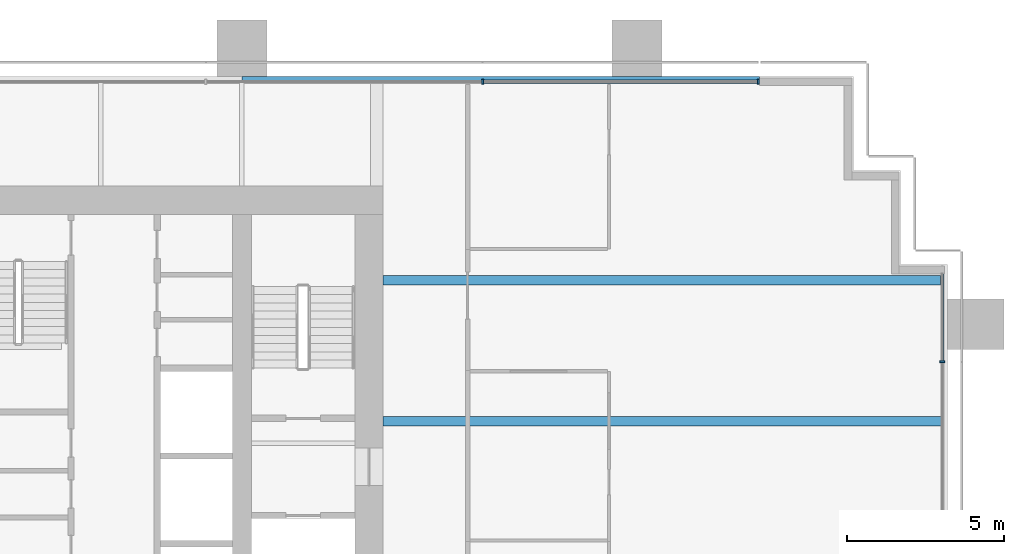
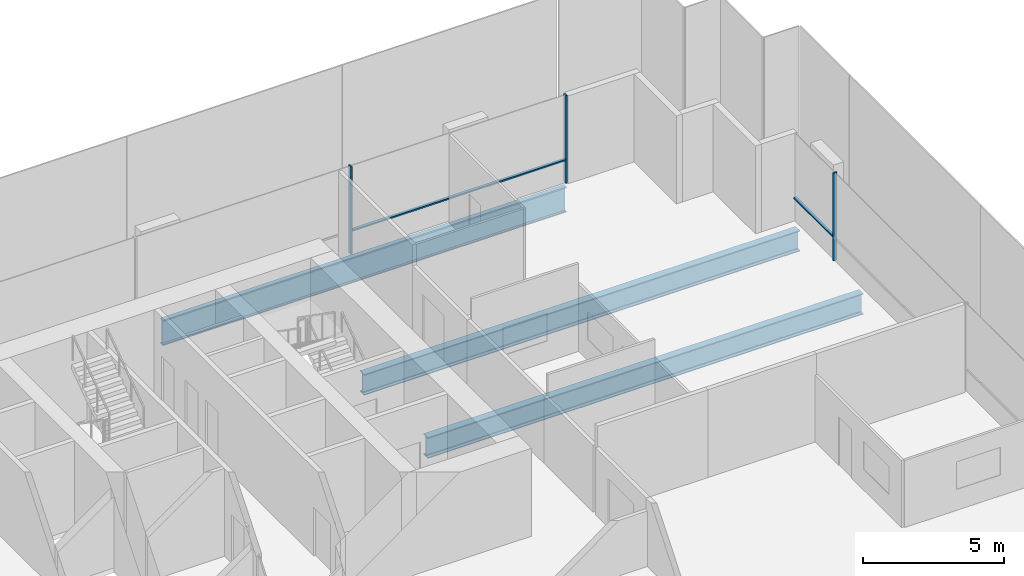
# One storey, part 10 of 19: 5 members, 3 beams, 2 elements without a shape of their own.
"""IFC4 building model written with IfcOpenShell, lengths in metres."""

from ifc_helpers import new_model, si_unit, direction, frame, origin, origin_2d, place, context, subcontext, project, spatial, rectangle, i_section, extrude, material, material_profile, profile_set, type_object, element, aggregate, save


model = new_model("IFC4")

# Units and contexts
model_context = context("Model", 3, precision=1e-05, world=origin(), true_north=direction((0.0, 1.0)))
body_context = subcontext(model_context, "Body", "Model", "MODEL_VIEW")
ifc_project = project(units=[si_unit("LENGTHUNIT", "METRE"), si_unit("AREAUNIT", "SQUARE_METRE"), si_unit("VOLUMEUNIT", "CUBIC_METRE"), si_unit("PLANEANGLEUNIT", "RADIAN"), si_unit("MASSUNIT", "GRAM", prefix="KILO")], contexts=[model_context])

# Site, building, storey
site_placement = place(None, origin())
site = spatial("IfcSite", under=ifc_project, at=site_placement, CompositionType="ELEMENT")
building_placement = place(site_placement, origin())
building = spatial("IfcBuilding", under=site, at=building_placement, Name="Rattan Terrace Tower", CompositionType="ELEMENT")
storey_placement = place(building_placement, frame((0.0, 0.0, 91.699951171875)))
storey = spatial("IfcBuildingStorey", under=building, at=storey_placement, Name="L20", CompositionType="ELEMENT", Elevation=91.699951171875)

# Curtain wall, member
ifc_material_1 = material(Name="Aluminium and glass", Category="aluminium")
curtain_wall_type = type_object("IfcCurtainWallType", Name="Facade Unitised Curtain Wall", PredefinedType="NOTDEFINED", material=ifc_material_1)
curtain_wall_1_placement = place(storey_placement, origin())
curtain_wall_1 = element("IfcCurtainWall", 1, at=curtain_wall_1_placement, inside=storey, type_object=curtain_wall_type, Name="Curtain wall L20-1", PredefinedType="NOTDEFINED")
ifc_material_2 = material(Name="Aluminium", Category="aluminium")
ifc_material_profile_1 = material_profile(ifc_material_2, rectangle(XDim=0.06005859375, YDim=0.159912109375, at=origin_2d()), Name="Aluminium 60x160")
ifc_profile_set_1 = profile_set([ifc_material_profile_1], Name="Aluminium")
member_type_1 = type_object("IfcMemberType", Name="Facade CW Mullion 60x160", PredefinedType="MULLION", material=ifc_profile_set_1)
member_1_placement = place(storey_placement, frame((35.830078125, 1.89990234375, 0.0), z_axis=(0.0, 0.0, 1.0), x_axis=(0.0, 1.0, 0.0)))
member_1 = element("IfcMember", 2, at=member_1_placement, type_object=member_type_1, Name="Mullion cwl-L20-001.4", PredefinedType="MULLION", context=body_context, shape_type="SweptSolid", body=[
    extrude(rectangle(XDim=0.06005859375, YDim=0.159912109375, at=origin_2d()), origin(), (0.0, 0.0, 1.0), 3.800048828125),
])

# Curtain wall, members
curtain_wall_2_placement = place(storey_placement, origin())
curtain_wall_2 = element("IfcCurtainWall", 3, at=curtain_wall_2_placement, inside=storey, type_object=curtain_wall_type, Name="Curtain wall L20-2", PredefinedType="NOTDEFINED")
member_2_placement = place(storey_placement, frame((29.969970703125, 10.830078125, 0.0), z_axis=(0.0, 0.0, 1.0), x_axis=(-1.0, 0.0, 0.0)))
member_2 = element("IfcMember", 4, at=member_2_placement, type_object=member_type_1, Name="Mullion cwl-L20-002.1", PredefinedType="MULLION", context=body_context, shape_type="SweptSolid", body=[
    extrude(rectangle(XDim=0.06005859375, YDim=0.159912109375, at=origin_2d()), origin(), (0.0, 0.0, 1.0), 3.800048828125),
])
member_3_placement = place(storey_placement, frame((21.177001953125, 10.830078125, 0.0), z_axis=(0.0, 0.0, 1.0), x_axis=(-1.0, 0.0, 0.0)))
member_3 = element("IfcMember", 5, at=member_3_placement, type_object=member_type_1, Name="Mullion cwl-L20-002.2", PredefinedType="MULLION", context=body_context, shape_type="SweptSolid", body=[
    extrude(rectangle(XDim=0.06005859375, YDim=0.159912109375, at=origin_2d()), origin(), (0.0, 0.0, 1.0), 3.800048828125),
])

# Member
ifc_material_3 = material(Name="Aluminium", Category="aluminium")
ifc_material_profile_2 = material_profile(ifc_material_3, rectangle(XDim=0.1201171875, YDim=0.06005859375, at=origin_2d()), Name="Aluminium 120x60")
ifc_profile_set_2 = profile_set([ifc_material_profile_2], Name="Aluminium")
member_type_2 = type_object("IfcMemberType", Name="Facade CW Transom 120x60", PredefinedType="USERDEFINED", material=ifc_profile_set_2)
member_4_placement = place(storey_placement, frame((35.830078125, 1.929931640625, 1.0), z_axis=(0.0, 1.0, 0.0), x_axis=(-1.0, 0.0, 0.0)))
member_4 = element("IfcMember", 6, at=member_4_placement, type_object=member_type_2, Name="Transom cwl-L20-001.4", ObjectType="TRANSOM", PredefinedType="USERDEFINED", context=body_context, shape_type="SweptSolid", body=[
    extrude(rectangle(XDim=0.1201171875, YDim=0.06005859375, at=origin_2d()), origin(), (0.0, 0.0, 1.0), 2.775146484375),
])

aggregate(curtain_wall_1, [member_1, member_4])

member_5_placement = place(storey_placement, frame((29.93994140625, 10.830078125, 1.0), z_axis=(-1.0, 0.0, 0.0), x_axis=(0.0, -1.0, 0.0)))
member_5 = element("IfcMember", 7, at=member_5_placement, type_object=member_type_2, Name="Transom cwl-L20-002.1", ObjectType="TRANSOM", PredefinedType="USERDEFINED", context=body_context, shape_type="SweptSolid", body=[
    extrude(rectangle(XDim=0.1201171875, YDim=0.06005859375, at=origin_2d()), origin(), (0.0, 0.0, 1.0), 8.73291015625),
])

aggregate(curtain_wall_2, [member_2, member_3, member_5])

# Beams
ifc_material_4 = material(Name="Steel S460", Category="steel")
ifc_material_profile_3 = material_profile(ifc_material_4, i_section(OverallWidth=0.179931640625, OverallDepth=1.10009765625, WebThickness=0.01611328125, FlangeThickness=0.050048828125, at=origin_2d()), Name="PG 1100x180-16-50")
ifc_profile_set_3 = profile_set([ifc_material_profile_3], Name="Steel S460")
beam_type_1 = type_object("IfcBeamType", Name="Frame edge girder PG 1100x180-16-50", PredefinedType="SPANDREL", material=ifc_profile_set_3)
beam_placement = place(storey_placement, frame((30.0, 10.909912109375, -0.75), z_axis=(-1.0, 0.0, 0.0), x_axis=(0.0, -1.0, 0.0)))
element("IfcBeam", 8, at=beam_placement, inside=storey, type_object=beam_type_1, Name="gdr-L20-008", PredefinedType="SPANDREL", context=body_context, shape_type="SweptSolid", body=[
    extrude(i_section(OverallWidth=0.179931640625, OverallDepth=1.10009765625, WebThickness=0.01611328125, FlangeThickness=0.050048828125, at=origin_2d()), origin(), (0.0, 0.0, 1.0), 16.5),
])
ifc_material_5 = material(Name="Steel S355", Category="steel")
ifc_material_profile_4 = material_profile(ifc_material_5, i_section(OverallWidth=0.300048828125, OverallDepth=0.89990234375, WebThickness=0.0185546875, FlangeThickness=0.034912109375, FilletRadius=0.030029296875, at=origin_2d()), Name="HE 900 B")
ifc_profile_set_4 = profile_set([ifc_material_profile_4], Name="Steel S355")
beam_type_2 = type_object("IfcBeamType", Name="Frame floor beam HE 900 B", PredefinedType="JOIST", material=ifc_profile_set_4)
for number, where, z_axis, x_axis, name in (
    (9, (18.0, 0.0, -0.64990234375), (1.0, 0.0, 0.0), (0.0, 1.0, 0.0), "bm-L20-015"),
    (10, (18.0, 4.5, -0.64990234375), (1.0, 0.0, 0.0), (0.0, 1.0, 0.0), "bm-L20-017"),
):
    element("IfcBeam", number, at=place(storey_placement, frame(where, z_axis=z_axis, x_axis=x_axis)), inside=storey, type_object=beam_type_2, Name=name, PredefinedType="JOIST", context=body_context, shape_type="SweptSolid", body=[
        extrude(i_section(OverallWidth=0.300048828125, OverallDepth=0.89990234375, WebThickness=0.0185546875, FlangeThickness=0.034912109375, FilletRadius=0.030029296875, at=origin_2d()), origin(), (0.0, 0.0, 1.0), 17.820068359375),
    ])

save(model, "model.ifc")
